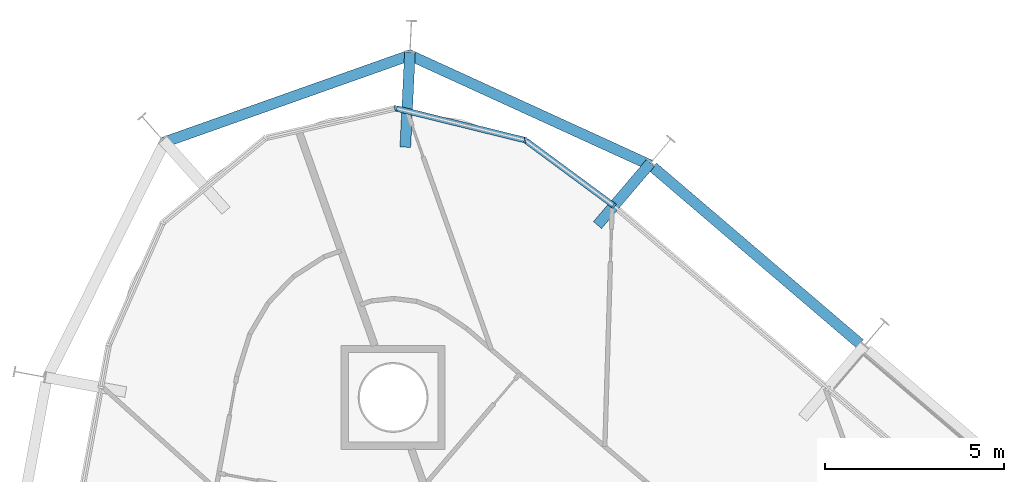
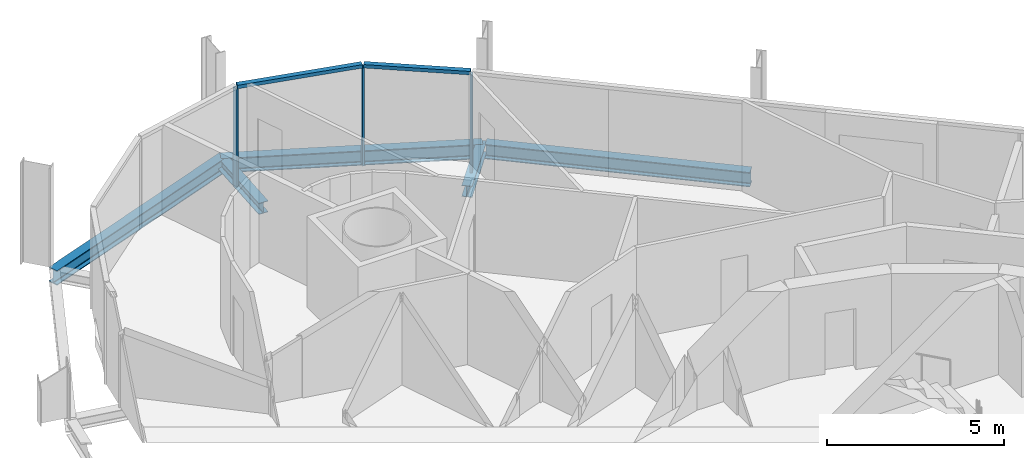
# One storey, part 7 of 17: 5 beams, 5 members, 1 element without a shape of its own.
"""IFC4 building model written with IfcOpenShell, lengths in metres."""

from ifc_helpers import new_model, si_unit, direction, frame, origin, origin_2d, place, context, subcontext, project, spatial, rectangle, i_section, extrude, material, layer, layer_set, material_profile, profile_set, type_object, element, aggregate, save


model = new_model("IFC4")

# Units and contexts
model_context = context("Model", 3, precision=1e-05, world=origin(), true_north=direction((0.0, 1.0)))
body_context = subcontext(model_context, "Body", "Model", "MODEL_VIEW")
ifc_project = project(units=[si_unit("LENGTHUNIT", "METRE"), si_unit("AREAUNIT", "SQUARE_METRE"), si_unit("VOLUMEUNIT", "CUBIC_METRE"), si_unit("PLANEANGLEUNIT", "RADIAN"), si_unit("MASSUNIT", "GRAM", prefix="KILO")], contexts=[model_context])

# Site, building, storey
site_placement = place(None, origin())
site = spatial("IfcSite", under=ifc_project, at=site_placement, CompositionType="ELEMENT")
building_placement = place(site_placement, origin())
building = spatial("IfcBuilding", under=site, at=building_placement, Name="Spindle Arch Residences", CompositionType="ELEMENT")
storey_placement = place(building_placement, frame((0.0, 0.0, 169.199951171875)))
storey = spatial("IfcBuildingStorey", under=building, at=storey_placement, Name="L42", CompositionType="ELEMENT", Elevation=169.199951171875)

# Curtain wall, members
ifc_material_1 = material(Name="Aluminium bronze unitised frame with tinted glass", Category="aluminium")
ifc_layer = layer(ifc_material_1, 0.159912109375)
ifc_layer_set = layer_set([ifc_layer], Name="CW-D corner wall on the fillet arcs")
curtain_wall_type = type_object("IfcCurtainWallType", Name="CW-D corner wall on the fillet arcs", PredefinedType="NOTDEFINED", material=ifc_layer_set)
curtain_wall_placement = place(storey_placement, origin())
curtain_wall = element("IfcCurtainWall", 1, at=curtain_wall_placement, inside=storey, type_object=curtain_wall_type, Name="CW-D L42 run 3", PredefinedType="NOTDEFINED")
ifc_material_2 = material(Name="Aluminium bronze anodised mullion", Category="aluminium")
ifc_material_profile_1 = material_profile(ifc_material_2, rectangle(XDim=0.159912109375, YDim=0.06005859375, at=origin_2d()), Name="MU 60x160")
ifc_profile_set_1 = profile_set([ifc_material_profile_1], Name="Aluminium bronze anodised mullion")
member_type_1 = type_object("IfcMemberType", Name="Bronze mullion 60x160", PredefinedType="MULLION", material=ifc_profile_set_1)
member_1_placement = place(storey_placement, frame((-0.86181640625, 25.213623046875, -0.3798828125), z_axis=(0.0, 0.0, 1.0), x_axis=(-0.594134492109, -0.804365716131, 0.0)))
member_1 = element("IfcMember", 2, at=member_1_placement, type_object=member_type_1, Name="CW-D mullion 00", PredefinedType="MULLION", context=body_context, shape_type="SweptSolid", body=[
    extrude(rectangle(XDim=0.159912109375, YDim=0.06005859375, at=origin_2d()), origin(), (0.0, 0.0, 1.0), 3.3798828125),
])
member_2_placement = place(storey_placement, frame((-3.3427734375, 27.046142578125, -0.3798828125), z_axis=(0.0, 0.0, 1.0), x_axis=(-0.239098401721, -0.970995342056, 0.0)))
member_2 = element("IfcMember", 3, at=member_2_placement, type_object=member_type_1, Name="CW-D mullion 01", PredefinedType="MULLION", context=body_context, shape_type="SweptSolid", body=[
    extrude(rectangle(XDim=0.159912109375, YDim=0.06005859375, at=origin_2d()), origin(), (0.0, 0.0, 1.0), 3.3798828125),
])
member_3_placement = place(storey_placement, frame((-6.96142578125, 27.937255859375, -0.3798828125), z_axis=(0.0, 0.0, 1.0), x_axis=(0.222115779633, -0.975020297449, 0.0)))
member_3 = element("IfcMember", 4, at=member_3_placement, type_object=member_type_1, Name="CW-D mullion 02", PredefinedType="MULLION", context=body_context, shape_type="SweptSolid", body=[
    extrude(rectangle(XDim=0.159912109375, YDim=0.06005859375, at=origin_2d()), origin(), (0.0, 0.0, 1.0), 3.3798828125),
])
ifc_material_3 = material(Name="Aluminium bronze anodised transom", Category="aluminium")
ifc_material_profile_2 = material_profile(ifc_material_3, rectangle(XDim=0.159912109375, YDim=0.1201171875, at=origin_2d()), Name="TR 120x160")
ifc_profile_set_2 = profile_set([ifc_material_profile_2], Name="Aluminium bronze anodised transom")
member_type_2 = type_object("IfcMemberType", Name="Bronze transom 120x160", PredefinedType="USERDEFINED", material=ifc_profile_set_2)
member_4_placement = place(storey_placement, frame((-0.8857421875, 25.2314453125, 3.06005859375), z_axis=(-0.804385788662, 0.594107316062, 0.0), x_axis=(-0.594107316062, -0.804385788662, 0.0)))
member_4 = element("IfcMember", 5, at=member_4_placement, type_object=member_type_2, Name="CW-D transom 00", ObjectType="TRANSOM", PredefinedType="USERDEFINED", context=body_context, shape_type="SweptSolid", body=[
    extrude(rectangle(XDim=0.159912109375, YDim=0.1201171875, at=origin_2d()), origin(), (0.0, 0.0, 1.0), 3.0244140625),
])
member_5_placement = place(storey_placement, frame((-3.371826171875, 27.053466796875, 3.06005859375), z_axis=(-0.970997997578, 0.239087617204, 0.0), x_axis=(-0.239087617204, -0.970997997578, 0.0)))
member_5 = element("IfcMember", 6, at=member_5_placement, type_object=member_type_2, Name="CW-D transom 01", ObjectType="TRANSOM", PredefinedType="USERDEFINED", context=body_context, shape_type="SweptSolid", body=[
    extrude(rectangle(XDim=0.159912109375, YDim=0.1201171875, at=origin_2d()), origin(), (0.0, 0.0, 1.0), 3.6669921875),
])
aggregate(curtain_wall, [member_1, member_4, member_2, member_5, member_3])

# Beams
ifc_material_4 = material(Name="Steel S460ML, intumescent coating R 120", Category="steel")
ifc_material_profile_3 = material_profile(ifc_material_4, i_section(OverallWidth=0.300048828125, OverallDepth=0.5, WebThickness=0.014404296875, FlangeThickness=0.028076171875, FilletRadius=0.027099609375, at=origin_2d()), Name="HEB 500")
ifc_profile_set_3 = profile_set([ifc_material_profile_3], Name="Steel S460ML, intumescent coating R 120")
beam_type_1 = type_object("IfcBeamType", Name="Exoskeleton edge beam HEB 500", PredefinedType="BEAM", material=ifc_profile_set_3)
beam_1_placement = place(storey_placement, frame((6.010009765625, 21.356689453125, -0.6298828125), z_axis=(-0.760418624565, 0.649433226294, 0.0), x_axis=(-0.649433226294, -0.760418624565, 0.0)))
element("IfcBeam", 7, at=beam_1_placement, inside=storey, type_object=beam_type_1, Name="Exoskeleton edge beam 9", PredefinedType="BEAM", context=body_context, shape_type="SweptSolid", body=[
    extrude(i_section(OverallWidth=0.300048828125, OverallDepth=0.5, WebThickness=0.014404296875, FlangeThickness=0.028076171875, FilletRadius=0.027099609375, at=origin_2d()), origin(), (0.0, 0.0, 1.0), 7.60009765625),
])
beam_2_placement = place(storey_placement, frame((0.151123046875, 26.34814453125, -0.6298828125), z_axis=(-0.909437531454, 0.415840566062, 0.0), x_axis=(-0.415840566062, -0.909437531454, 0.0)))
element("IfcBeam", 8, at=beam_2_placement, inside=storey, type_object=beam_type_1, Name="Exoskeleton edge beam 10", PredefinedType="BEAM", context=body_context, shape_type="SweptSolid", body=[
    extrude(i_section(OverallWidth=0.300048828125, OverallDepth=0.5, WebThickness=0.014404296875, FlangeThickness=0.028076171875, FilletRadius=0.027099609375, at=origin_2d()), origin(), (0.0, 0.0, 1.0), 7.42578125),
])
beam_3_placement = place(storey_placement, frame((-6.49853515625, 29.440185546875, -0.6298828125), z_axis=(-0.942642791069, -0.333803188189, 0.0), x_axis=(0.333803188189, -0.942642791069, 0.0)))
element("IfcBeam", 9, at=beam_3_placement, inside=storey, type_object=beam_type_1, Name="Exoskeleton edge beam 11", PredefinedType="BEAM", context=body_context, shape_type="SweptSolid", body=[
    extrude(i_section(OverallWidth=0.300048828125, OverallDepth=0.5, WebThickness=0.014404296875, FlangeThickness=0.028076171875, FilletRadius=0.027099609375, at=origin_2d()), origin(), (0.0, 0.0, 1.0), 7.403076171875),
])
ifc_material_5 = material(Name="Steel S460ML, intumescent coating R 120", Category="steel")
ifc_material_profile_4 = material_profile(ifc_material_5, i_section(OverallWidth=0.300048828125, OverallDepth=0.389892578125, WebThickness=0.010986328125, FlangeThickness=0.01904296875, FilletRadius=0.027099609375, at=origin_2d()), Name="HEA 400")
ifc_profile_set_4 = profile_set([ifc_material_profile_4], Name="Steel S460ML, intumescent coating R 120")
beam_type_2 = type_object("IfcBeamType", Name="Floor outrigger HEA 400", PredefinedType="BEAM", material=ifc_profile_set_4)
beam_4_placement = place(storey_placement, frame((0.157958984375, 26.407470703125, -0.574951171875), z_axis=(-0.649440691167, -0.76041224915, 0.0), x_axis=(0.76041224915, -0.649440691167, 0.0)))
element("IfcBeam", 10, at=beam_4_placement, inside=storey, type_object=beam_type_2, Name="Floor outrigger 10", PredefinedType="BEAM", context=body_context, shape_type="SweptSolid", body=[
    extrude(i_section(OverallWidth=0.300048828125, OverallDepth=0.389892578125, WebThickness=0.010986328125, FlangeThickness=0.01904296875, FilletRadius=0.027099609375, at=origin_2d()), origin(), (0.0, 0.0, 1.0), 2.279296875),
])
beam_5_placement = place(storey_placement, frame((-6.561279296875, 29.49609375, -0.574951171875), z_axis=(-0.048830159672, -0.998807096243, 0.0), x_axis=(0.998807096243, -0.048830159672, 0.0)))
element("IfcBeam", 11, at=beam_5_placement, inside=storey, type_object=beam_type_2, Name="Floor outrigger 11", PredefinedType="BEAM", context=body_context, shape_type="SweptSolid", body=[
    extrude(i_section(OverallWidth=0.300048828125, OverallDepth=0.389892578125, WebThickness=0.010986328125, FlangeThickness=0.01904296875, FilletRadius=0.027099609375, at=origin_2d()), origin(), (0.0, 0.0, 1.0), 2.64990234375),
])

save(model, "model.ifc")
